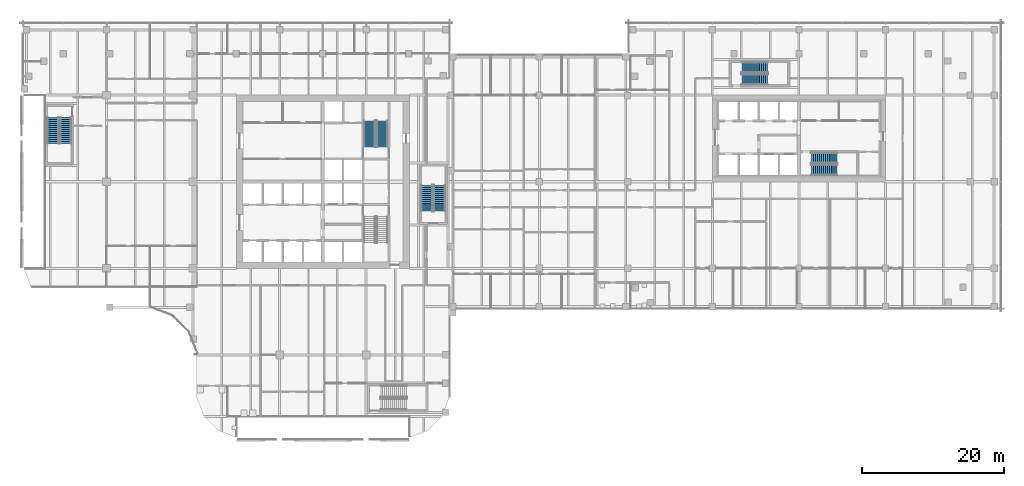
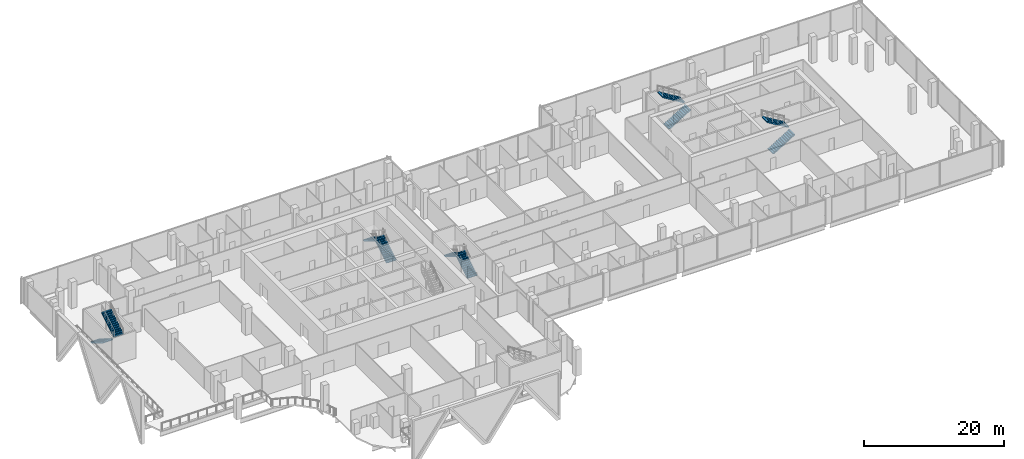
# One storey, part 30 of 33: 10 stair flights, 5 elements without a shape of their own.
"""IFC4 building model written with IfcOpenShell, lengths in metres."""

from ifc_helpers import new_model, si_unit, direction, frame, origin, place, context, subcontext, project, spatial, polyline, outline, extrude, material, type_object, element, aggregate, save


model = new_model("IFC4")

# Units and contexts
model_context = context("Model", 3, precision=1e-05, world=origin(), true_north=direction((0.0, 1.0)))
body_context = subcontext(model_context, "Body", "Model", "MODEL_VIEW")
ifc_project = project(units=[si_unit("LENGTHUNIT", "METRE"), si_unit("AREAUNIT", "SQUARE_METRE"), si_unit("VOLUMEUNIT", "CUBIC_METRE"), si_unit("PLANEANGLEUNIT", "RADIAN"), si_unit("MASSUNIT", "GRAM", prefix="KILO")], contexts=[model_context])

# Site, building, storey
site_placement = place(None, origin())
site = spatial("IfcSite", under=ifc_project, at=site_placement, CompositionType="ELEMENT")
building_placement = place(site_placement, origin())
building = spatial("IfcBuilding", under=site, at=building_placement, Name="Tessera Gate Towers", CompositionType="ELEMENT")
storey_placement = place(building_placement, frame((0.0, 0.0, 12.0)))
storey = spatial("IfcBuildingStorey", under=building, at=storey_placement, Name="L02", CompositionType="ELEMENT", Elevation=12.0)

# Stair, stair flights
ifc_material_1 = material(Name="Concrete C40/50", Category="concrete")
stair_type_1 = type_object("IfcStairType", Name="EXIT STAIR ST2A 1600", PredefinedType="HALF_TURN_STAIR", material=ifc_material_1)
stair_1_placement = place(storey_placement, origin())
stair_1 = element("IfcStair", 1, at=stair_1_placement, inside=storey, type_object=stair_type_1, Name="L02 Protected Exit Stair ST2", PredefinedType="HALF_TURN_STAIR")
ifc_material_2 = material(Name="Concrete C40/50", Category="concrete")
stair_flight_type_1 = type_object("IfcStairFlightType", Name="EXIT STAIR FLIGHT ST2A 1600", PredefinedType="STRAIGHT", material=ifc_material_2)
stair_flight_1_placement = place(storey_placement, frame((51.074951171875, 41.52490234375, 0.0), z_axis=(0.0, 0.0, 1.0), x_axis=(0.0, 1.0, 0.0)))
stair_flight_1 = element("IfcStairFlight", 2, at=stair_flight_1_placement, type_object=stair_flight_type_1, Name="ST2 flight 1", NumberOfRisers=14, NumberOfTreads=13, PredefinedType="STRAIGHT", RiserHeight=0.171428571, TreadLength=0.28, context=body_context, shape_type="SweptSolid", body=[
    extrude(outline(polyline([(0.0, 0.0), (0.0, 0.17138671875), (0.280029296875, 0.17138671875), (0.280029296875, 0.3427734375), (0.56005859375, 0.3427734375), (0.56005859375, 0.514404296875), (0.840087890625, 0.514404296875), (0.840087890625, 0.685791015625), (1.1201171875, 0.685791015625), (1.1201171875, 0.857177734375), (1.39990234375, 0.857177734375), (1.39990234375, 1.028564453125), (1.679931640625, 1.028564453125), (1.679931640625, 1.199951171875), (1.9599609375, 1.199951171875), (1.9599609375, 1.371337890625), (2.239990234375, 1.371337890625), (2.239990234375, 1.54296875), (2.52001953125, 1.54296875), (2.52001953125, 1.71435546875), (2.800048828125, 1.71435546875), (2.800048828125, 1.8857421875), (3.080078125, 1.8857421875), (3.080078125, 2.05712890625), (3.360107421875, 2.05712890625), (3.360107421875, 2.228515625), (3.639892578125, 2.228515625), (3.639892578125, 2.39990234375), (3.639892578125, 2.052734375), (0.287109375, 0.0), (0.0, 0.0)])), frame((0.0, 0.800048828125, 0.0), z_axis=(0.0, -1.0, 0.0), x_axis=(1.0, 0.0, 0.0)), (0.0, 0.0, 1.0), 1.60009765625),
])
stair_flight_2_placement = place(storey_placement, frame((49.27490234375, 45.1650390625, 2.39990234375), z_axis=(0.0, 0.0, 1.0), x_axis=(0.0, -1.0, 0.0)))
stair_flight_2 = element("IfcStairFlight", 3, at=stair_flight_2_placement, type_object=stair_flight_type_1, Name="ST2 flight 2", NumberOfRisers=14, NumberOfTreads=13, PredefinedType="STRAIGHT", RiserHeight=0.171428571, TreadLength=0.28, context=body_context, shape_type="SweptSolid", body=[
    extrude(outline(polyline([(0.0, 0.0), (0.0, 0.17138671875), (0.280029296875, 0.17138671875), (0.280029296875, 0.3427734375), (0.56005859375, 0.3427734375), (0.56005859375, 0.514404296875), (0.840087890625, 0.514404296875), (0.840087890625, 0.685791015625), (1.1201171875, 0.685791015625), (1.1201171875, 0.857177734375), (1.39990234375, 0.857177734375), (1.39990234375, 1.028564453125), (1.679931640625, 1.028564453125), (1.679931640625, 1.199951171875), (1.9599609375, 1.199951171875), (1.9599609375, 1.371337890625), (2.239990234375, 1.371337890625), (2.239990234375, 1.54296875), (2.52001953125, 1.54296875), (2.52001953125, 1.71435546875), (2.800048828125, 1.71435546875), (2.800048828125, 1.8857421875), (3.080078125, 1.8857421875), (3.080078125, 2.05712890625), (3.360107421875, 2.05712890625), (3.360107421875, 2.228515625), (3.639892578125, 2.228515625), (3.639892578125, 2.39990234375), (3.639892578125, 2.052734375), (0.287109375, 0.0), (0.0, 0.0)])), frame((0.0, 0.800048828125, 0.0), z_axis=(0.0, -1.0, 0.0), x_axis=(1.0, 0.0, 0.0)), (0.0, 0.0, 1.0), 1.60009765625),
])
aggregate(stair_1, [stair_flight_1, stair_flight_2])

ifc_material_3 = material(Name="Concrete C40/50", Category="concrete")
stair_type_2 = type_object("IfcStairType", Name="EXIT STAIR ST3A 1600", PredefinedType="HALF_TURN_STAIR", material=ifc_material_3)
stair_2_placement = place(storey_placement, origin())
stair_2 = element("IfcStair", 4, at=stair_2_placement, inside=storey, type_object=stair_type_2, Name="L02 West Exit Stair ST3", PredefinedType="HALF_TURN_STAIR")
ifc_material_4 = material(Name="Concrete C40/50", Category="concrete")
stair_flight_type_2 = type_object("IfcStairFlightType", Name="EXIT STAIR FLIGHT ST3A 1600", PredefinedType="STRAIGHT", material=ifc_material_4)
stair_flight_3_placement = place(storey_placement, frame((4.64990234375, 45.64990234375, 0.0), z_axis=(0.0, 0.0, 1.0), x_axis=(0.0, -1.0, 0.0)))
stair_flight_3 = element("IfcStairFlight", 5, at=stair_flight_3_placement, type_object=stair_flight_type_2, Name="ST3 flight 1", NumberOfRisers=14, NumberOfTreads=13, PredefinedType="STRAIGHT", RiserHeight=0.171428571, TreadLength=0.28, context=body_context, shape_type="SweptSolid", body=[
    extrude(outline(polyline([(0.0, 0.0), (0.0, 0.17138671875), (0.280029296875, 0.17138671875), (0.280029296875, 0.3427734375), (0.56005859375, 0.3427734375), (0.56005859375, 0.514404296875), (0.840087890625, 0.514404296875), (0.840087890625, 0.685791015625), (1.1201171875, 0.685791015625), (1.1201171875, 0.857177734375), (1.39990234375, 0.857177734375), (1.39990234375, 1.028564453125), (1.679931640625, 1.028564453125), (1.679931640625, 1.199951171875), (1.9599609375, 1.199951171875), (1.9599609375, 1.371337890625), (2.239990234375, 1.371337890625), (2.239990234375, 1.54296875), (2.52001953125, 1.54296875), (2.52001953125, 1.71435546875), (2.800048828125, 1.71435546875), (2.800048828125, 1.8857421875), (3.080078125, 1.8857421875), (3.080078125, 2.05712890625), (3.360107421875, 2.05712890625), (3.360107421875, 2.228515625), (3.639892578125, 2.228515625), (3.639892578125, 2.39990234375), (3.639892578125, 2.052734375), (0.287109375, 0.0), (0.0, 0.0)])), frame((0.0, 0.800048828125, 0.0), z_axis=(0.0, -1.0, 0.0), x_axis=(1.0, 0.0, 0.0)), (0.0, 0.0, 1.0), 1.60009765625),
])
stair_flight_4_placement = place(storey_placement, frame((6.449951171875, 42.010009765625, 2.39990234375), z_axis=(0.0, 0.0, 1.0), x_axis=(0.0, 1.0, 0.0)))
stair_flight_4 = element("IfcStairFlight", 6, at=stair_flight_4_placement, type_object=stair_flight_type_2, Name="ST3 flight 2", NumberOfRisers=14, NumberOfTreads=13, PredefinedType="STRAIGHT", RiserHeight=0.171428571, TreadLength=0.28, context=body_context, shape_type="SweptSolid", body=[
    extrude(outline(polyline([(0.0, 0.0), (0.0, 0.17138671875), (0.280029296875, 0.17138671875), (0.280029296875, 0.3427734375), (0.56005859375, 0.3427734375), (0.56005859375, 0.514404296875), (0.840087890625, 0.514404296875), (0.840087890625, 0.685791015625), (1.1201171875, 0.685791015625), (1.1201171875, 0.857177734375), (1.39990234375, 0.857177734375), (1.39990234375, 1.028564453125), (1.679931640625, 1.028564453125), (1.679931640625, 1.199951171875), (1.9599609375, 1.199951171875), (1.9599609375, 1.371337890625), (2.239990234375, 1.371337890625), (2.239990234375, 1.54296875), (2.52001953125, 1.54296875), (2.52001953125, 1.71435546875), (2.800048828125, 1.71435546875), (2.800048828125, 1.8857421875), (3.080078125, 1.8857421875), (3.080078125, 2.05712890625), (3.360107421875, 2.05712890625), (3.360107421875, 2.228515625), (3.639892578125, 2.228515625), (3.639892578125, 2.39990234375), (3.639892578125, 2.052734375), (0.287109375, 0.0), (0.0, 0.0)])), frame((0.0, 0.800048828125, 0.0), z_axis=(0.0, -1.0, 0.0), x_axis=(1.0, 0.0, 0.0)), (0.0, 0.0, 1.0), 1.60009765625),
])
aggregate(stair_2, [stair_flight_3, stair_flight_4])

ifc_material_5 = material(Name="Concrete C40/50", Category="concrete")
stair_type_3 = type_object("IfcStairType", Name="EXIT STAIR ST5A 1600", PredefinedType="HALF_TURN_STAIR", material=ifc_material_5)
stair_3_placement = place(storey_placement, origin())
stair_3 = element("IfcStair", 7, at=stair_3_placement, inside=storey, type_object=stair_type_3, Name="L02 East Exit Stair ST5", PredefinedType="HALF_TURN_STAIR")
ifc_material_6 = material(Name="Concrete C40/50", Category="concrete")
stair_flight_type_3 = type_object("IfcStairFlightType", Name="EXIT STAIR FLIGHT ST5A 1600", PredefinedType="STRAIGHT", material=ifc_material_6)
stair_flight_5_placement = place(storey_placement, frame((59.14990234375, 32.449951171875, 0.0), z_axis=(0.0, 0.0, 1.0), x_axis=(0.0, 1.0, 0.0)))
stair_flight_5 = element("IfcStairFlight", 8, at=stair_flight_5_placement, type_object=stair_flight_type_3, Name="ST5 flight 1", NumberOfRisers=14, NumberOfTreads=13, PredefinedType="STRAIGHT", RiserHeight=0.171428571, TreadLength=0.28, context=body_context, shape_type="SweptSolid", body=[
    extrude(outline(polyline([(0.0, 0.0), (0.0, 0.17138671875), (0.280029296875, 0.17138671875), (0.280029296875, 0.3427734375), (0.56005859375, 0.3427734375), (0.56005859375, 0.514404296875), (0.840087890625, 0.514404296875), (0.840087890625, 0.685791015625), (1.1201171875, 0.685791015625), (1.1201171875, 0.857177734375), (1.39990234375, 0.857177734375), (1.39990234375, 1.028564453125), (1.679931640625, 1.028564453125), (1.679931640625, 1.199951171875), (1.9599609375, 1.199951171875), (1.9599609375, 1.371337890625), (2.239990234375, 1.371337890625), (2.239990234375, 1.54296875), (2.52001953125, 1.54296875), (2.52001953125, 1.71435546875), (2.800048828125, 1.71435546875), (2.800048828125, 1.8857421875), (3.080078125, 1.8857421875), (3.080078125, 2.05712890625), (3.360107421875, 2.05712890625), (3.360107421875, 2.228515625), (3.639892578125, 2.228515625), (3.639892578125, 2.39990234375), (3.639892578125, 2.052734375), (0.287109375, 0.0), (0.0, 0.0)])), frame((0.0, 0.800048828125, 0.0), z_axis=(0.0, -1.0, 0.0), x_axis=(1.0, 0.0, 0.0)), (0.0, 0.0, 1.0), 1.60009765625),
])
stair_flight_6_placement = place(storey_placement, frame((57.35009765625, 36.090087890625, 2.39990234375), z_axis=(0.0, 0.0, 1.0), x_axis=(0.0, -1.0, 0.0)))
stair_flight_6 = element("IfcStairFlight", 9, at=stair_flight_6_placement, type_object=stair_flight_type_3, Name="ST5 flight 2", NumberOfRisers=14, NumberOfTreads=13, PredefinedType="STRAIGHT", RiserHeight=0.171428571, TreadLength=0.28, context=body_context, shape_type="SweptSolid", body=[
    extrude(outline(polyline([(0.0, 0.0), (0.0, 0.17138671875), (0.280029296875, 0.17138671875), (0.280029296875, 0.3427734375), (0.56005859375, 0.3427734375), (0.56005859375, 0.514404296875), (0.840087890625, 0.514404296875), (0.840087890625, 0.685791015625), (1.1201171875, 0.685791015625), (1.1201171875, 0.857177734375), (1.39990234375, 0.857177734375), (1.39990234375, 1.028564453125), (1.679931640625, 1.028564453125), (1.679931640625, 1.199951171875), (1.9599609375, 1.199951171875), (1.9599609375, 1.371337890625), (2.239990234375, 1.371337890625), (2.239990234375, 1.54296875), (2.52001953125, 1.54296875), (2.52001953125, 1.71435546875), (2.800048828125, 1.71435546875), (2.800048828125, 1.8857421875), (3.080078125, 1.8857421875), (3.080078125, 2.05712890625), (3.360107421875, 2.05712890625), (3.360107421875, 2.228515625), (3.639892578125, 2.228515625), (3.639892578125, 2.39990234375), (3.639892578125, 2.052734375), (0.287109375, 0.0), (0.0, 0.0)])), frame((0.0, 0.800048828125, 0.0), z_axis=(0.0, -1.0, 0.0), x_axis=(1.0, 0.0, 0.0)), (0.0, 0.0, 1.0), 1.60009765625),
])
aggregate(stair_3, [stair_flight_5, stair_flight_6])

ifc_material_7 = material(Name="Concrete C40/50", Category="concrete")
stair_type_4 = type_object("IfcStairType", Name="EXIT STAIR ST6A 1500", PredefinedType="HALF_TURN_STAIR", material=ifc_material_7)
stair_4_placement = place(storey_placement, origin())
stair_4 = element("IfcStair", 10, at=stair_4_placement, inside=storey, type_object=stair_type_4, Name="L02 Protected Exit Stair ST6", PredefinedType="HALF_TURN_STAIR")
ifc_material_8 = material(Name="Concrete C40/50", Category="concrete")
stair_flight_type_4 = type_object("IfcStairFlightType", Name="EXIT STAIR FLIGHT ST6A 1500", PredefinedType="STRAIGHT", material=ifc_material_8)
stair_flight_7_placement = place(storey_placement, frame((111.550048828125, 38.25, 0.0), z_axis=(0.0, 0.0, 1.0), x_axis=(1.0, 0.0, 0.0)))
stair_flight_7 = element("IfcStairFlight", 11, at=stair_flight_7_placement, type_object=stair_flight_type_4, Name="ST6 flight 1", NumberOfRisers=14, NumberOfTreads=13, PredefinedType="STRAIGHT", RiserHeight=0.171428571, TreadLength=0.28, context=body_context, shape_type="SweptSolid", body=[
    extrude(outline(polyline([(0.0, 0.0), (0.0, 0.17138671875), (0.280029296875, 0.17138671875), (0.280029296875, 0.3427734375), (0.56005859375, 0.3427734375), (0.56005859375, 0.514404296875), (0.840087890625, 0.514404296875), (0.840087890625, 0.685791015625), (1.1201171875, 0.685791015625), (1.1201171875, 0.857177734375), (1.39990234375, 0.857177734375), (1.39990234375, 1.028564453125), (1.679931640625, 1.028564453125), (1.679931640625, 1.199951171875), (1.9599609375, 1.199951171875), (1.9599609375, 1.371337890625), (2.239990234375, 1.371337890625), (2.239990234375, 1.54296875), (2.52001953125, 1.54296875), (2.52001953125, 1.71435546875), (2.800048828125, 1.71435546875), (2.800048828125, 1.8857421875), (3.080078125, 1.8857421875), (3.080078125, 2.05712890625), (3.360107421875, 2.05712890625), (3.360107421875, 2.228515625), (3.639892578125, 2.228515625), (3.639892578125, 2.39990234375), (3.639892578125, 2.052734375), (0.287109375, 0.0), (0.0, 0.0)])), frame((0.0, 0.75, 0.0), z_axis=(0.0, -1.0, 0.0), x_axis=(1.0, 0.0, 0.0)), (0.0, 0.0, 1.0), 1.5),
])
stair_flight_8_placement = place(storey_placement, frame((115.18994140625, 39.949951171875, 2.39990234375), z_axis=(0.0, 0.0, 1.0), x_axis=(-1.0, 0.0, 0.0)))
stair_flight_8 = element("IfcStairFlight", 12, at=stair_flight_8_placement, type_object=stair_flight_type_4, Name="ST6 flight 2", NumberOfRisers=14, NumberOfTreads=13, PredefinedType="STRAIGHT", RiserHeight=0.171428571, TreadLength=0.28, context=body_context, shape_type="SweptSolid", body=[
    extrude(outline(polyline([(0.0, 0.0), (0.0, 0.17138671875), (0.280029296875, 0.17138671875), (0.280029296875, 0.3427734375), (0.56005859375, 0.3427734375), (0.56005859375, 0.514404296875), (0.840087890625, 0.514404296875), (0.840087890625, 0.685791015625), (1.1201171875, 0.685791015625), (1.1201171875, 0.857177734375), (1.39990234375, 0.857177734375), (1.39990234375, 1.028564453125), (1.679931640625, 1.028564453125), (1.679931640625, 1.199951171875), (1.9599609375, 1.199951171875), (1.9599609375, 1.371337890625), (2.239990234375, 1.371337890625), (2.239990234375, 1.54296875), (2.52001953125, 1.54296875), (2.52001953125, 1.71435546875), (2.800048828125, 1.71435546875), (2.800048828125, 1.8857421875), (3.080078125, 1.8857421875), (3.080078125, 2.05712890625), (3.360107421875, 2.05712890625), (3.360107421875, 2.228515625), (3.639892578125, 2.228515625), (3.639892578125, 2.39990234375), (3.639892578125, 2.052734375), (0.287109375, 0.0), (0.0, 0.0)])), frame((0.0, 0.75, 0.0), z_axis=(0.0, -1.0, 0.0), x_axis=(1.0, 0.0, 0.0)), (0.0, 0.0, 1.0), 1.5),
])
aggregate(stair_4, [stair_flight_7, stair_flight_8])

ifc_material_9 = material(Name="Concrete C40/50", Category="concrete")
stair_type_5 = type_object("IfcStairType", Name="EXIT STAIR ST7A 1500", PredefinedType="HALF_TURN_STAIR", material=ifc_material_9)
stair_5_placement = place(storey_placement, origin())
stair_5 = element("IfcStair", 13, at=stair_5_placement, inside=storey, type_object=stair_type_5, Name="L02 North Exit Stair ST7", PredefinedType="HALF_TURN_STAIR")
ifc_material_10 = material(Name="Concrete C40/50", Category="concrete")
stair_flight_type_5 = type_object("IfcStairFlightType", Name="EXIT STAIR FLIGHT ST7A 1500", PredefinedType="STRAIGHT", material=ifc_material_10)
stair_flight_9_placement = place(storey_placement, frame((101.75, 51.0, 0.0), z_axis=(0.0, 0.0, 1.0), x_axis=(1.0, 0.0, 0.0)))
stair_flight_9 = element("IfcStairFlight", 14, at=stair_flight_9_placement, type_object=stair_flight_type_5, Name="ST7 flight 1", NumberOfRisers=14, NumberOfTreads=13, PredefinedType="STRAIGHT", RiserHeight=0.171428571, TreadLength=0.28, context=body_context, shape_type="SweptSolid", body=[
    extrude(outline(polyline([(0.0, 0.0), (0.0, 0.17138671875), (0.280029296875, 0.17138671875), (0.280029296875, 0.3427734375), (0.56005859375, 0.3427734375), (0.56005859375, 0.514404296875), (0.840087890625, 0.514404296875), (0.840087890625, 0.685791015625), (1.1201171875, 0.685791015625), (1.1201171875, 0.857177734375), (1.39990234375, 0.857177734375), (1.39990234375, 1.028564453125), (1.679931640625, 1.028564453125), (1.679931640625, 1.199951171875), (1.9599609375, 1.199951171875), (1.9599609375, 1.371337890625), (2.239990234375, 1.371337890625), (2.239990234375, 1.54296875), (2.52001953125, 1.54296875), (2.52001953125, 1.71435546875), (2.800048828125, 1.71435546875), (2.800048828125, 1.8857421875), (3.080078125, 1.8857421875), (3.080078125, 2.05712890625), (3.360107421875, 2.05712890625), (3.360107421875, 2.228515625), (3.639892578125, 2.228515625), (3.639892578125, 2.39990234375), (3.639892578125, 2.052734375), (0.287109375, 0.0), (0.0, 0.0)])), frame((0.0, 0.75, 0.0), z_axis=(0.0, -1.0, 0.0), x_axis=(1.0, 0.0, 0.0)), (0.0, 0.0, 1.0), 1.5),
])
stair_flight_10_placement = place(storey_placement, frame((105.389892578125, 52.699951171875, 2.39990234375), z_axis=(0.0, 0.0, 1.0), x_axis=(-1.0, 0.0, 0.0)))
stair_flight_10 = element("IfcStairFlight", 15, at=stair_flight_10_placement, type_object=stair_flight_type_5, Name="ST7 flight 2", NumberOfRisers=14, NumberOfTreads=13, PredefinedType="STRAIGHT", RiserHeight=0.171428571, TreadLength=0.28, context=body_context, shape_type="SweptSolid", body=[
    extrude(outline(polyline([(0.0, 0.0), (0.0, 0.17138671875), (0.280029296875, 0.17138671875), (0.280029296875, 0.3427734375), (0.56005859375, 0.3427734375), (0.56005859375, 0.514404296875), (0.840087890625, 0.514404296875), (0.840087890625, 0.685791015625), (1.1201171875, 0.685791015625), (1.1201171875, 0.857177734375), (1.39990234375, 0.857177734375), (1.39990234375, 1.028564453125), (1.679931640625, 1.028564453125), (1.679931640625, 1.199951171875), (1.9599609375, 1.199951171875), (1.9599609375, 1.371337890625), (2.239990234375, 1.371337890625), (2.239990234375, 1.54296875), (2.52001953125, 1.54296875), (2.52001953125, 1.71435546875), (2.800048828125, 1.71435546875), (2.800048828125, 1.8857421875), (3.080078125, 1.8857421875), (3.080078125, 2.05712890625), (3.360107421875, 2.05712890625), (3.360107421875, 2.228515625), (3.639892578125, 2.228515625), (3.639892578125, 2.39990234375), (3.639892578125, 2.052734375), (0.287109375, 0.0), (0.0, 0.0)])), frame((0.0, 0.75, 0.0), z_axis=(0.0, -1.0, 0.0), x_axis=(1.0, 0.0, 0.0)), (0.0, 0.0, 1.0), 1.5),
])
aggregate(stair_5, [stair_flight_9, stair_flight_10])

save(model, "model.ifc")
